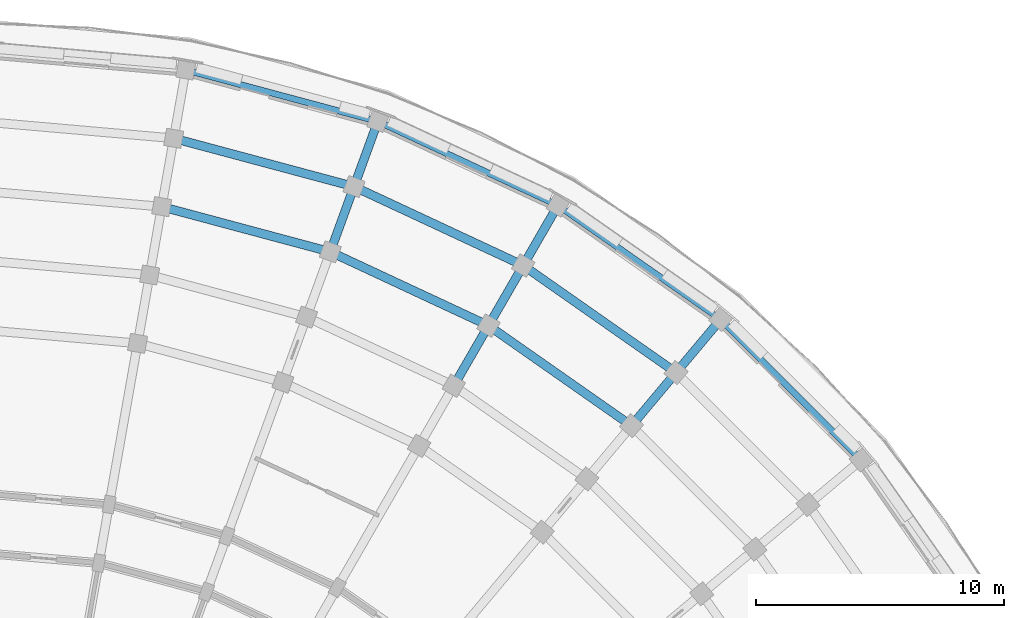
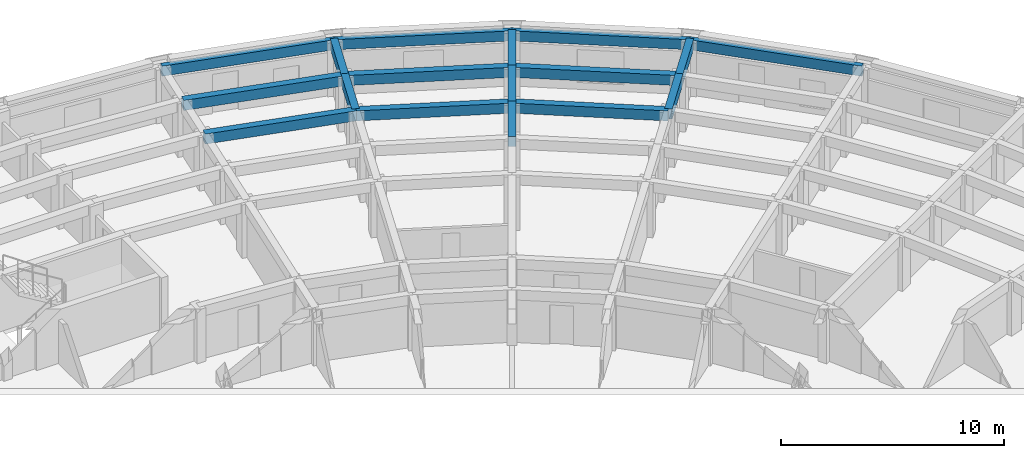
# One storey, part 14 of 57: 17 beams.
"""IFC4 building model written with IfcOpenShell, lengths in metres."""

from ifc_helpers import new_model, si_unit, direction, frame, origin, origin_2d, place, context, subcontext, project, spatial, rectangle, extrude, material, material_profile, profile_set, type_object, element, save


model = new_model("IFC4")

# Units and contexts
model_context = context("Model", 3, precision=1e-05, world=origin(), true_north=direction((0.0, 1.0)))
body_context = subcontext(model_context, "Body", "Model", "MODEL_VIEW")
ifc_project = project(units=[si_unit("LENGTHUNIT", "METRE"), si_unit("AREAUNIT", "SQUARE_METRE"), si_unit("VOLUMEUNIT", "CUBIC_METRE"), si_unit("PLANEANGLEUNIT", "RADIAN"), si_unit("MASSUNIT", "GRAM", prefix="KILO")], contexts=[model_context])

# Site, building, storey
site_placement = place(None, origin())
site = spatial("IfcSite", under=ifc_project, at=site_placement, CompositionType="ELEMENT")
building_placement = place(site_placement, origin())
building = spatial("IfcBuilding", under=site, at=building_placement, Name="Kiranvali Square Residences", CompositionType="ELEMENT")
storey_placement = place(building_placement, frame((0.0, 0.0, 24.449951171875)))
storey = spatial("IfcBuildingStorey", under=building, at=storey_placement, Name="L07", CompositionType="ELEMENT", Elevation=24.449951171875)

# Beams
ifc_material = material(Name="Concrete M40 (40 MPa)", Category="concrete")
ifc_material_profile_1 = material_profile(ifc_material, rectangle(XDim=0.35009765625, YDim=0.550048828125, at=origin_2d()), Name="RC 350x550")
ifc_profile_set_1 = profile_set([ifc_material_profile_1], Name="Concrete M40 (40 MPa)")
beam_type_1 = type_object("IfcBeamType", Name="BM-M40-350x550", PredefinedType="BEAM", material=ifc_profile_set_1)
beam_1_placement = place(storey_placement, frame((126.8154296875, 127.586181640625, 2.655029296875), z_axis=(0.965931029817, -0.258799624492, 0.0), x_axis=(0.258799624492, 0.965931029817, 0.0)))
element("IfcBeam", 1, at=beam_1_placement, inside=storey, type_object=beam_type_1, Name="L07 beam BM-B-L07-C01-R5", PredefinedType="BEAM", context=body_context, shape_type="SweptSolid", body=[
    extrude(rectangle(XDim=0.35009765625, YDim=0.550048828125, at=origin_2d()), origin(), (0.0, 0.0, 1.0), 7.042236328125),
])
beam_2_placement = place(storey_placement, frame((127.301513671875, 130.34375, 2.655029296875), z_axis=(0.965925909693, -0.258818733833, 0.0), x_axis=(0.258818733833, 0.965925909693, 0.0)))
element("IfcBeam", 2, at=beam_2_placement, inside=storey, type_object=beam_type_1, Name="L07 beam BM-B-L07-C01-R6", PredefinedType="BEAM", context=body_context, shape_type="SweptSolid", body=[
    extrude(rectangle(XDim=0.35009765625, YDim=0.550048828125, at=origin_2d()), origin(), (0.0, 0.0, 1.0), 7.5302734375),
])
beam_3_placement = place(storey_placement, frame((133.61767578125, 125.763671875, 2.655029296875), z_axis=(0.906297360311, -0.422640621205, 0.0), x_axis=(0.422640621205, 0.906297360311, 0.0)))
element("IfcBeam", 3, at=beam_3_placement, inside=storey, type_object=beam_type_1, Name="L07 beam BM-B-L07-C02-R5", PredefinedType="BEAM", context=body_context, shape_type="SweptSolid", body=[
    extrude(rectangle(XDim=0.35009765625, YDim=0.550048828125, at=origin_2d()), origin(), (0.0, 0.0, 1.0), 7.042236328125),
])
beam_4_placement = place(storey_placement, frame((134.5751953125, 128.394775390625, 2.655029296875), z_axis=(0.90630982703, -0.422613886933, 0.0), x_axis=(0.422613886933, 0.90630982703, 0.0)))
element("IfcBeam", 4, at=beam_4_placement, inside=storey, type_object=beam_type_1, Name="L07 beam BM-B-L07-C02-R6", PredefinedType="BEAM", context=body_context, shape_type="SweptSolid", body=[
    extrude(rectangle(XDim=0.35009765625, YDim=0.550048828125, at=origin_2d()), origin(), (0.0, 0.0, 1.0), 7.5302734375),
])
beam_5_placement = place(storey_placement, frame((140.0, 122.787353515625, 2.655029296875), z_axis=(0.819160249246, -0.57356471828, 0.0), x_axis=(0.57356471828, 0.819160249246, 0.0)))
element("IfcBeam", 5, at=beam_5_placement, inside=storey, type_object=beam_type_1, Name="L07 beam BM-B-L07-C03-R5", PredefinedType="BEAM", context=body_context, shape_type="SweptSolid", body=[
    extrude(rectangle(XDim=0.35009765625, YDim=0.550048828125, at=origin_2d()), origin(), (0.0, 0.0, 1.0), 7.0419921875),
])
beam_6_placement = place(storey_placement, frame((141.39990234375, 125.21240234375, 2.655029296875), z_axis=(0.819143569597, -0.573588539275, 0.0), x_axis=(0.573588539275, 0.819143569597, 0.0)))
element("IfcBeam", 6, at=beam_6_placement, inside=storey, type_object=beam_type_1, Name="L07 beam BM-B-L07-C03-R6", PredefinedType="BEAM", context=body_context, shape_type="SweptSolid", body=[
    extrude(rectangle(XDim=0.35009765625, YDim=0.550048828125, at=origin_2d()), origin(), (0.0, 0.0, 1.0), 7.5302734375),
])
beam_7_placement = place(storey_placement, frame((133.61767578125, 125.763671875, 2.655029296875), z_axis=(0.341981089711, 0.93970683422, 0.0), x_axis=(-0.93970683422, 0.341981089711, 0.0)))
element("IfcBeam", 7, at=beam_7_placement, inside=storey, type_object=beam_type_1, Name="L07 beam BM-B-L07-RAD02-56", PredefinedType="BEAM", context=body_context, shape_type="SweptSolid", body=[
    extrude(rectangle(XDim=0.35009765625, YDim=0.550048828125, at=origin_2d()), origin(), (0.0, 0.0, 1.0), 2.7998046875),
])
beam_8_placement = place(storey_placement, frame((134.5751953125, 128.394775390625, 2.655029296875), z_axis=(0.342058084236, 0.939678810556, 0.0), x_axis=(-0.939678810556, 0.342058084236, 0.0)))
element("IfcBeam", 8, at=beam_8_placement, inside=storey, type_object=beam_type_1, Name="L07 beam BM-B-L07-RAD02-67", PredefinedType="BEAM", context=body_context, shape_type="SweptSolid", body=[
    extrude(rectangle(XDim=0.35009765625, YDim=0.550048828125, at=origin_2d()), origin(), (0.0, 0.0, 1.0), 2.800048828125),
])
beam_9_placement = place(storey_placement, frame((138.60009765625, 120.362548828125, 2.655029296875), z_axis=(0.49998411664, 0.866034573852, 0.0), x_axis=(-0.866034573852, 0.49998411664, 0.0)))
element("IfcBeam", 9, at=beam_9_placement, inside=storey, type_object=beam_type_1, Name="L07 beam BM-B-L07-RAD03-45", PredefinedType="BEAM", context=body_context, shape_type="SweptSolid", body=[
    extrude(rectangle(XDim=0.35009765625, YDim=0.550048828125, at=origin_2d()), origin(), (0.0, 0.0, 1.0), 2.7998046875),
])
for number, where, z_axis, x_axis, name in (
    (10, (140.0, 122.787353515625, 2.655029296875), (0.49994636267, 0.866056369097, 0.0), (-0.866056369097, 0.49994636267, 0.0), "L07 beam BM-B-L07-RAD03-56"),
    (11, (141.39990234375, 125.21240234375, 2.655029296875), (0.500049511043, 0.865996816683, 0.0), (-0.865996816683, 0.500049511043, 0.0), "L07 beam BM-B-L07-RAD03-67"),
):
    element("IfcBeam", number, at=place(storey_placement, frame(where, z_axis=z_axis, x_axis=x_axis)), inside=storey, type_object=beam_type_1, Name=name, PredefinedType="BEAM", context=body_context, shape_type="SweptSolid", body=[
        extrude(rectangle(XDim=0.35009765625, YDim=0.550048828125, at=origin_2d()), origin(), (0.0, 0.0, 1.0), 2.800048828125),
    ])
beam_10_placement = place(storey_placement, frame((145.7685546875, 118.748291015625, 2.655029296875), z_axis=(0.642813692253, 0.76602255649, 0.0), x_axis=(-0.76602255649, 0.642813692253, 0.0)))
element("IfcBeam", 12, at=beam_10_placement, inside=storey, type_object=beam_type_1, Name="L07 beam BM-B-L07-RAD04-56", PredefinedType="BEAM", context=body_context, shape_type="SweptSolid", body=[
    extrude(rectangle(XDim=0.35009765625, YDim=0.550048828125, at=origin_2d()), origin(), (0.0, 0.0, 1.0), 2.7998046875),
])
beam_11_placement = place(storey_placement, frame((147.568359375, 120.89306640625, 2.655029296875), z_axis=(0.642770757628, 0.766058583359, 0.0), x_axis=(-0.766058583359, 0.642770757628, 0.0)))
element("IfcBeam", 13, at=beam_11_placement, inside=storey, type_object=beam_type_1, Name="L07 beam BM-B-L07-RAD04-67", PredefinedType="BEAM", context=body_context, shape_type="SweptSolid", body=[
    extrude(rectangle(XDim=0.35009765625, YDim=0.550048828125, at=origin_2d()), origin(), (0.0, 0.0, 1.0), 2.800048828125),
])
ifc_material_profile_2 = material_profile(ifc_material, rectangle(XDim=0.25, YDim=0.550048828125, at=origin_2d()), Name="RC 250x550")
ifc_profile_set_2 = profile_set([ifc_material_profile_2], Name="Concrete M40 (40 MPa)")
beam_type_2 = type_object("IfcBeamType", Name="SPN-M40-250x550", PredefinedType="SPANDREL", material=ifc_profile_set_2)
for number, where, z_axis, x_axis, name in (
    (14, (127.787841796875, 133.10107421875, 2.655029296875), (0.96592902462, -0.258807108475, 0.0), (0.258807108475, 0.96592902462, 0.0), "L07 beam BM-B-L07-C01-R7"),
    (15, (135.532958984375, 131.02587890625, 2.655029296875), (0.906309113636, -0.422615416827, 0.0), (0.422615416827, 0.906309113636, 0.0), "L07 beam BM-B-L07-C02-R7"),
    (16, (142.800048828125, 127.63720703125, 2.655029296875), (0.819147515001, -0.573582904791, 0.0), (0.573582904791, 0.819147515001, 0.0), "L07 beam BM-B-L07-C03-R7"),
):
    element("IfcBeam", number, at=place(storey_placement, frame(where, z_axis=z_axis, x_axis=x_axis)), inside=storey, type_object=beam_type_2, Name=name, PredefinedType="SPANDREL", context=body_context, shape_type="SweptSolid", body=[
        extrude(rectangle(XDim=0.25, YDim=0.550048828125, at=origin_2d()), origin(), (0.0, 0.0, 1.0), 8.018310546875),
    ])
beam_12_placement = place(storey_placement, frame((149.3681640625, 123.0380859375, 2.655029296875), z_axis=(0.707106781187, -0.707106781187, 0.0), x_axis=(0.707106781187, 0.707106781187, 0.0)))
element("IfcBeam", 17, at=beam_12_placement, inside=storey, type_object=beam_type_2, Name="L07 beam BM-B-L07-C04-R7", PredefinedType="SPANDREL", context=body_context, shape_type="SweptSolid", body=[
    extrude(rectangle(XDim=0.25, YDim=0.550048828125, at=origin_2d()), origin(), (0.0, 0.0, 1.0), 8.0185546875),
])

save(model, "model.ifc")
